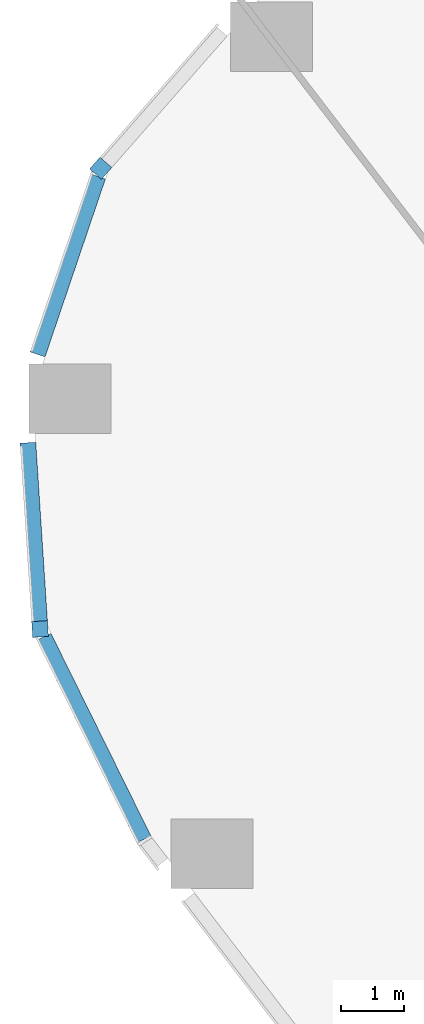
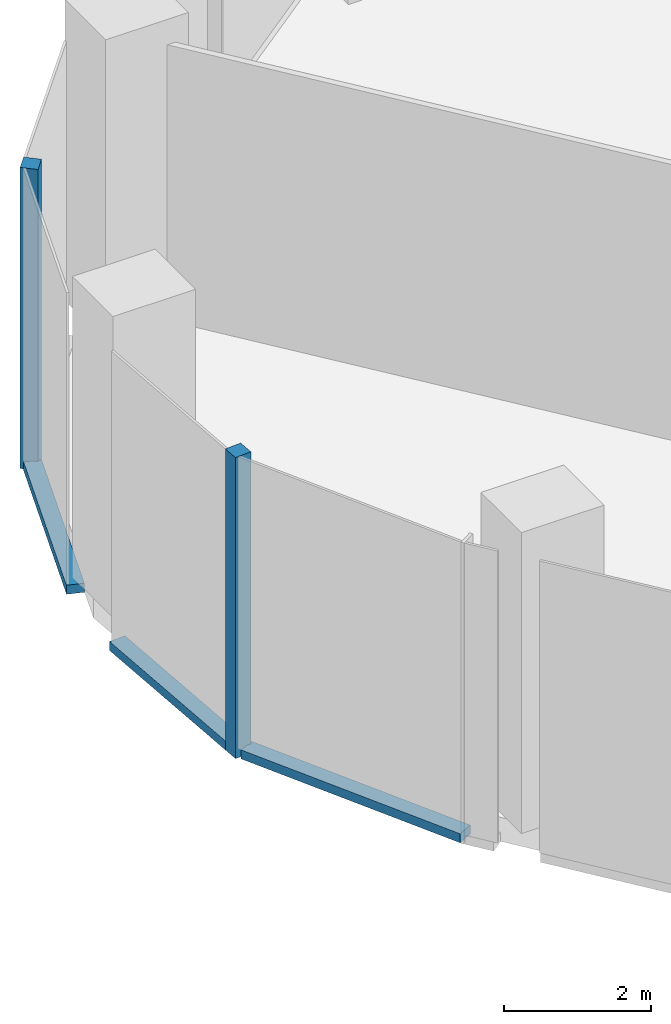
# One storey, part 3 of 29: 5 members, 4 elements without a shape of their own.
"""IFC4 building model written with IfcOpenShell, lengths in metres."""

import ifcopenshell
import ifcopenshell.guid

model = None  # the IFC model being written
_history = None  # IfcOwnerHistory: only IFC2X3 demands one
_inside = {}  # id of a spatial element -> (the spatial element, [elements in it])
_under = {}  # id of a project, library or spatial element -> (it, [spatial elements below it])
_declared = {}  # id of a project -> (the project, [libraries it declares])
_typed = {}  # id of a type object -> (the type object, [elements of that type])
_made_of = {}  # id of a material, layer set ... -> (it, [elements and type objects made of it])


def new_model(schema):
    """Start an empty IFC model of exactly this schema.

    Asked for "IFC4X3", IfcOpenShell would pick the latest addendum, in which some entities
    have other attributes; the version numbers below select the first issue.
    IFC2X3 requires an IfcOwnerHistory on every rooted entity: one is made here for all.
    """
    global model, _history
    if schema == "IFC4X3":
        model = ifcopenshell.file(schema_version=(4, 3, 0, 0))
    else:
        model = ifcopenshell.file(schema=schema)
    _inside.clear()
    _under.clear()
    _declared.clear()
    _typed.clear()
    _made_of.clear()
    _history = None
    if model.schema == "IFC2X3":
        org = make("IfcOrganization", Name="unknown")
        user = make(
            "IfcPersonAndOrganization",
            ThePerson=make("IfcPerson", FamilyName="unknown"),
            TheOrganization=org,
        )
        app = make(
            "IfcApplication",
            ApplicationDeveloper=org,
            Version="unknown",
            ApplicationFullName="unknown",
            ApplicationIdentifier="unknown",
        )
        _history = make(
            "IfcOwnerHistory",
            OwningUser=user,
            OwningApplication=app,
            ChangeAction="ADDED",
            CreationDate=0,
        )
    return model


def make(cls, **values):
    """One entity of the class cls with the attributes given. An attribute that is None is left unset."""
    return model.create_entity(
        cls, **{name: value for name, value in values.items() if value is not None}
    )


def rooted(cls, **values):
    """An entity with a GlobalId (a new one), such as an element, a storey or a relation."""
    return make(cls, GlobalId=ifcopenshell.guid.new(), OwnerHistory=_history, **values)


def si_unit(unit_type, name, prefix=None):
    """IfcSIUnit, for example si_unit("LENGTHUNIT", "METRE", prefix="MILLI")."""
    return make("IfcSIUnit", UnitType=unit_type, Prefix=prefix, Name=name)


def assignment(units):
    """IfcUnitAssignment: the units of a project."""
    return None if units is None else make("IfcUnitAssignment", Units=units)


def point(xyz):
    """IfcCartesianPoint."""
    return None if xyz is None else make("IfcCartesianPoint", Coordinates=xyz)


def direction(xyz):
    """IfcDirection."""
    return None if xyz is None else make("IfcDirection", DirectionRatios=xyz)


def frame(location, z_axis=None, x_axis=None):
    """IfcAxis2Placement3D, a coordinate frame: its origin and axes. An axis left out is left unset."""
    return make(
        "IfcAxis2Placement3D",
        Location=point(location),
        Axis=direction(z_axis),
        RefDirection=direction(x_axis),
    )


def frame_2d(location, x_axis=None):
    """IfcAxis2Placement2D, a coordinate frame in the plane: its origin and x axis."""
    return make(
        "IfcAxis2Placement2D", Location=point(location), RefDirection=direction(x_axis)
    )


def origin():
    """The frame at (0, 0, 0) with its axes left unset."""
    return frame((0.0, 0.0, 0.0))


def origin_2d():
    """The frame at (0, 0) in the plane with its x axis left unset."""
    return frame_2d((0.0, 0.0))


def place(relative_to, where):
    """IfcLocalPlacement: puts the frame where relative to a parent placement (None: the world)."""
    return make(
        "IfcLocalPlacement", PlacementRelTo=relative_to, RelativePlacement=where
    )


def context(
    kind, dimensions, precision=None, world=None, true_north=None, identifier=None
):
    """IfcGeometricRepresentationContext, for example the 3D "Model" context."""
    return make(
        "IfcGeometricRepresentationContext",
        ContextIdentifier=identifier,
        ContextType=kind,
        CoordinateSpaceDimension=dimensions,
        Precision=precision,
        WorldCoordinateSystem=world,
        TrueNorth=true_north,
    )


def subcontext(parent, identifier, kind, view, scale=None):
    """IfcGeometricRepresentationSubContext, for example "Body" below "Model"."""
    return make(
        "IfcGeometricRepresentationSubContext",
        ContextIdentifier=identifier,
        ContextType=kind,
        ParentContext=parent,
        TargetScale=scale,
        TargetView=view,
    )


def project(units=None, contexts=None):
    """IfcProject with its units and contexts."""
    return rooted(
        "IfcProject",
        Name="project",
        RepresentationContexts=contexts,
        UnitsInContext=assignment(units),
    )


def spatial(cls, under=None, at=None, **own):
    """A site, building, storey or space (cls), placed at a placement, below another one or the project."""
    s = rooted(cls, ObjectPlacement=at, **own)
    if under is not None:
        _under.setdefault(under.id(), (under, []))[1].append(s)
    return s


def profile(cls, at=None, kind="AREA", **sizes):
    """A parametric profile (cls). Its sizes go by their IFC names, for example OverallWidth=200.0."""
    return make(cls, ProfileType=kind, Position=at, **sizes)


def rectangle(**sizes):
    """IfcRectangleProfileDef."""
    return profile("IfcRectangleProfileDef", **sizes)


def extrude(swept, where, along, depth):
    """IfcExtrudedAreaSolid: the profile swept, set in the frame where, extruded along a direction by depth."""
    return make(
        "IfcExtrudedAreaSolid",
        SweptArea=swept,
        Position=where,
        ExtrudedDirection=direction(along),
        Depth=depth,
    )


def shape(context_of_items, identifier, shape_type, items):
    """IfcShapeRepresentation: the items that make up one representation, for example the "Body"."""
    return make(
        "IfcShapeRepresentation",
        ContextOfItems=context_of_items,
        RepresentationIdentifier=identifier,
        RepresentationType=shape_type,
        Items=items,
    )


def material(Name=None, Category=None):
    """IfcMaterial."""
    return make("IfcMaterial", Name=Name, Category=Category)


def material_profile(
    of_material, cross_section, Name=None, Category=None, Priority=None
):
    """IfcMaterialProfile: a cross section and its material."""
    return make(
        "IfcMaterialProfile",
        Name=Name,
        Material=of_material,
        Profile=cross_section,
        Priority=Priority,
        Category=Category,
    )


def profile_set(profiles, Name=None, composite=None):
    """IfcMaterialProfileSet."""
    return make(
        "IfcMaterialProfileSet",
        Name=Name,
        MaterialProfiles=profiles,
        CompositeProfile=composite,
    )


def made_of(thing, what):
    """Note that an element or type object is made of a material, layer set ...; save() writes the relation."""
    if what is not None:
        _made_of.setdefault(what.id(), (what, []))[1].append(thing)
    return thing


def type_object(cls, material=None, **own):
    """A type object (cls), such as IfcWallType, which elements share."""
    return made_of(rooted(cls, **own), material)


def element(
    cls,
    number,
    at=None,
    inside=None,
    cuts=None,
    type_object=None,
    material=None,
    context=None,
    identifier="Body",
    shape_type=None,
    held_by="IfcProductDefinitionShape",
    body=None,
    shapes=None,
    **own,
):
    """One element of the class cls, such as IfcWall. Its Tag is "e" and its number.

    at: its placement. inside: the storey or other place that contains it. cuts: it is an
    opening in that element (IfcRelVoidsElement). A single representation is given by context,
    identifier, shape_type and body (its items); several are given by shapes. held_by: the class
    of the entity that holds the representations. save() writes the other relations.
    """
    e = rooted(cls, Tag="e%d" % number, ObjectPlacement=at, **own)
    if body is not None:
        shapes = [shape(context, identifier, shape_type, body)]
    if shapes is not None:
        e.Representation = make(held_by, Representations=shapes)
    if inside is not None:
        _inside.setdefault(inside.id(), (inside, []))[1].append(e)
    if cuts is not None:
        rooted(
            "IfcRelVoidsElement", RelatingBuildingElement=cuts, RelatedOpeningElement=e
        )
    if type_object is not None:
        _typed.setdefault(type_object.id(), (type_object, []))[1].append(e)
    return made_of(e, material)


def aggregate(whole, parts):
    """IfcRelAggregates: a whole, such as a stair, and the parts it consists of."""
    return rooted("IfcRelAggregates", RelatingObject=whole, RelatedObjects=parts)


def save(model, path):
    """Write the relations noted so far, then the file.

    IfcRelAggregates (storeys below a building ...), IfcRelContainedInSpatialStructure (elements
    in a storey), IfcRelDefinesByType, IfcRelAssociatesMaterial and IfcRelDeclares: one each for
    every whole, place, type object, material and project.
    """
    for whole, parts in _under.values():
        aggregate(whole, parts)
    for where, things in _inside.values():
        rooted(
            "IfcRelContainedInSpatialStructure",
            RelatedElements=things,
            RelatingStructure=where,
        )
    for kind, things in _typed.values():
        rooted("IfcRelDefinesByType", RelatedObjects=things, RelatingType=kind)
    for what, things in _made_of.values():
        rooted("IfcRelAssociatesMaterial", RelatedObjects=things, RelatingMaterial=what)
    for by, libraries in _declared.values():
        rooted("IfcRelDeclares", RelatingContext=by, RelatedDefinitions=libraries)
    model.write(path)


model = new_model("IFC4")

# Units and contexts
model_context = context("Model", 3, precision=1e-05, world=origin(), true_north=direction((0.0, 1.0)))
body_context = subcontext(model_context, "Body", "Model", "MODEL_VIEW")
ifc_project = project(units=[si_unit("LENGTHUNIT", "METRE"), si_unit("AREAUNIT", "SQUARE_METRE"), si_unit("VOLUMEUNIT", "CUBIC_METRE"), si_unit("PLANEANGLEUNIT", "RADIAN"), si_unit("MASSUNIT", "GRAM", prefix="KILO")], contexts=[model_context])

# Site, building, storey
site_placement = place(None, origin())
site = spatial("IfcSite", under=ifc_project, at=site_placement, CompositionType="ELEMENT")
building_placement = place(site_placement, origin())
building = spatial("IfcBuilding", under=site, at=building_placement, Name="Orlundy Tower", CompositionType="ELEMENT")
storey_placement = place(building_placement, frame((0.0, 0.0, 15.5)))
storey = spatial("IfcBuildingStorey", under=building, at=storey_placement, Name="L02", CompositionType="ELEMENT", Elevation=15.5)

# Curtain wall, member
ifc_material_1 = material(Name="Aluminium bronze anodised", Category="aluminium")
curtain_wall_type = type_object("IfcCurtainWallType", Name="CW2 wall", PredefinedType="NOTDEFINED", material=ifc_material_1)
curtain_wall_1_placement = place(storey_placement, origin())
curtain_wall_1 = element("IfcCurtainWall", 1, at=curtain_wall_1_placement, inside=storey, type_object=curtain_wall_type, Name="CW2 run 09", PredefinedType="NOTDEFINED")
ifc_material_2 = material(Name="Aluminium bronze anodised", Category="aluminium")
ifc_material_profile_1 = material_profile(ifc_material_2, rectangle(XDim=0.25, YDim=0.25, at=origin_2d()), Name="CW2 corner post 250x250")
ifc_profile_set_1 = profile_set([ifc_material_profile_1], Name="Aluminium bronze anodised")
member_type_1 = type_object("IfcMemberType", Name="CW2 corner post 250x250", PredefinedType="MULLION", material=ifc_profile_set_1)
member_1_placement = place(storey_placement, frame((-55.359130859375, -24.60009765625, -0.39990234375), z_axis=(0.0, 0.0, 1.0), x_axis=(-0.997866755389, -0.065283523877, 0.0)))
member_1 = element("IfcMember", 2, at=member_1_placement, type_object=member_type_1, Name="CW2 mullion 23", PredefinedType="MULLION", context=body_context, shape_type="SweptSolid", body=[
    extrude(rectangle(XDim=0.25, YDim=0.25, at=origin_2d()), origin(), (0.0, 0.0, 1.0), 5.0),
])

curtain_wall_2_placement = place(storey_placement, origin())
curtain_wall_2 = element("IfcCurtainWall", 3, at=curtain_wall_2_placement, inside=storey, type_object=curtain_wall_type, Name="CW2 run 011", PredefinedType="NOTDEFINED")
member_2_placement = place(storey_placement, frame((-54.3974609375, -17.294189453125, -0.39990234375), z_axis=(0.0, 0.0, 1.0), x_axis=(-0.751857647447, 0.65932547196, 0.0)))
member_2 = element("IfcMember", 4, at=member_2_placement, type_object=member_type_1, Name="CW2 mullion 25", PredefinedType="MULLION", context=body_context, shape_type="SweptSolid", body=[
    extrude(rectangle(XDim=0.25, YDim=0.25, at=origin_2d()), origin(), (0.0, 0.0, 1.0), 5.0),
])
aggregate(curtain_wall_2, [member_2])

curtain_wall_3_placement = place(storey_placement, origin())
curtain_wall_3 = element("IfcCurtainWall", 5, at=curtain_wall_3_placement, inside=storey, type_object=curtain_wall_type, Name="CW2 run 08", PredefinedType="NOTDEFINED")
ifc_material_3 = material(Name="Aluminium bronze anodised", Category="aluminium")
ifc_material_profile_2 = material_profile(ifc_material_3, rectangle(XDim=0.25, YDim=0.14990234375, at=origin_2d()), Name="CW2 transom 250x150")
ifc_profile_set_2 = profile_set([ifc_material_profile_2], Name="Aluminium bronze anodised")
member_type_2 = type_object("IfcMemberType", Name="CW2 transom 250x150", PredefinedType="USERDEFINED", material=ifc_profile_set_2)
member_3_placement = place(storey_placement, frame((-53.71484375, -27.934814453125, -0.324951171875), z_axis=(-0.442245930509, 0.896893827021, 0.0), x_axis=(-0.896893827021, -0.442245930509, 0.0)))
member_3 = element("IfcMember", 6, at=member_3_placement, type_object=member_type_2, Name="CW2 transom", ObjectType="TRANSOM", PredefinedType="USERDEFINED", context=body_context, shape_type="SweptSolid", body=[
    extrude(rectangle(XDim=0.25, YDim=0.14990234375, at=origin_2d()), origin(), (0.0, 0.0, 1.0), 3.582763671875),
])
aggregate(curtain_wall_3, [member_3])

# Member
member_4_placement = place(storey_placement, frame((-55.3671875, -24.475341796875, -0.324951171875), z_axis=(-0.065267391535, 0.997867810685, 0.0), x_axis=(-0.997867810685, -0.065267391535, 0.0)))
member_4 = element("IfcMember", 7, at=member_4_placement, type_object=member_type_2, Name="CW2 transom", ObjectType="TRANSOM", PredefinedType="USERDEFINED", context=body_context, shape_type="SweptSolid", body=[
    extrude(rectangle(XDim=0.25, YDim=0.14990234375, at=origin_2d()), origin(), (0.0, 0.0, 1.0), 2.83544921875),
])

aggregate(curtain_wall_1, [member_1, member_4])

# Curtain wall, member
curtain_wall_4_placement = place(storey_placement, origin())
curtain_wall_4 = element("IfcCurtainWall", 8, at=curtain_wall_4_placement, inside=storey, type_object=curtain_wall_type, Name="CW2 run 010", PredefinedType="NOTDEFINED")
member_5_placement = place(storey_placement, frame((-55.39892578125, -20.24609375, -0.324951171875), z_axis=(0.321283233247, 0.94698314876, 0.0), x_axis=(-0.94698314876, 0.321283233247, 0.0)))
member_5 = element("IfcMember", 9, at=member_5_placement, type_object=member_type_2, Name="CW2 transom", ObjectType="TRANSOM", PredefinedType="USERDEFINED", context=body_context, shape_type="SweptSolid", body=[
    extrude(rectangle(XDim=0.25, YDim=0.14990234375, at=origin_2d()), origin(), (0.0, 0.0, 1.0), 2.98193359375),
])
aggregate(curtain_wall_4, [member_5])

save(model, "model.ifc")
